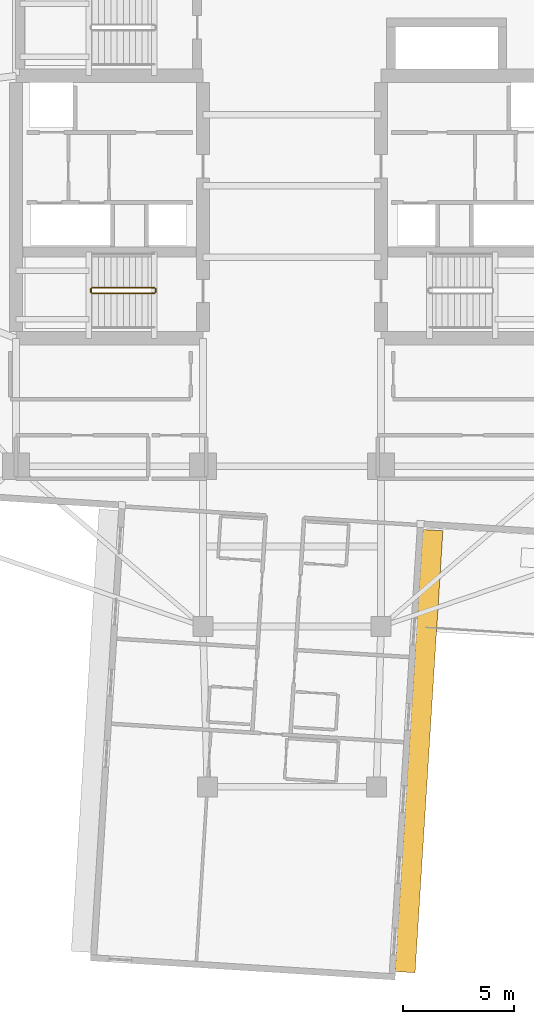
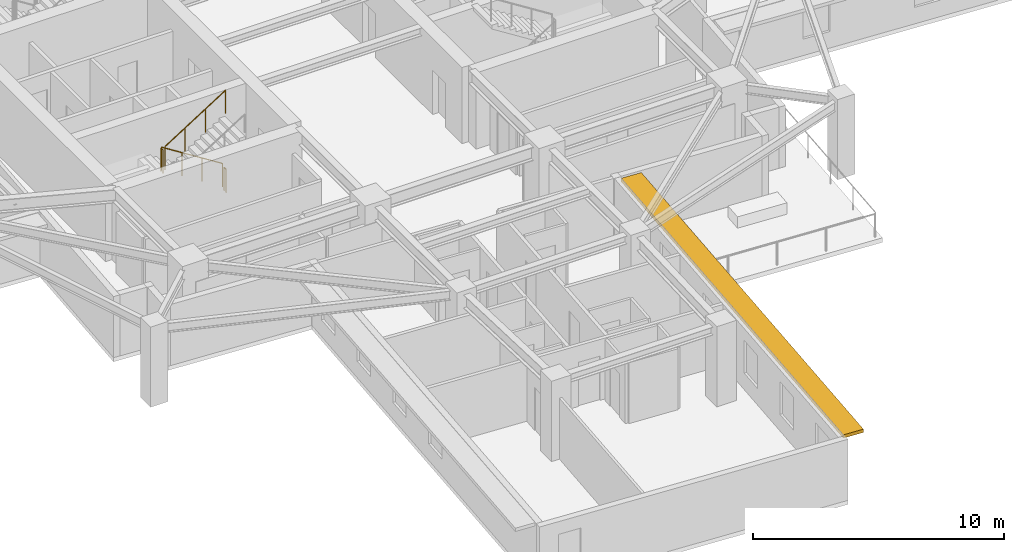
# One storey, part 11 of 14: 4 railings, 1 shading device.
"""IFC4 building model written with IfcOpenShell, lengths in metres."""

from ifc_helpers import new_model, si_unit, direction, frame, origin, origin_2d, place, context, subcontext, project, spatial, rectangle, circle, extrude, material, layer, layer_set, type_object, element, save


model = new_model("IFC4")

# Units and contexts
model_context = context("Model", 3, precision=1e-05, world=origin(), true_north=direction((0.0, 1.0)))
body_context = subcontext(model_context, "Body", "Model", "MODEL_VIEW")
ifc_project = project(units=[si_unit("LENGTHUNIT", "METRE"), si_unit("AREAUNIT", "SQUARE_METRE"), si_unit("VOLUMEUNIT", "CUBIC_METRE"), si_unit("PLANEANGLEUNIT", "RADIAN"), si_unit("MASSUNIT", "GRAM", prefix="KILO")], contexts=[model_context])

# Site, building, storey
site_placement = place(None, origin())
site = spatial("IfcSite", under=ifc_project, at=site_placement, CompositionType="ELEMENT")
building_placement = place(site_placement, origin())
building = spatial("IfcBuilding", under=site, at=building_placement, Name="Qingluan Cross Belvedere", CompositionType="ELEMENT")
storey_placement = place(building_placement, frame((0.0, 0.0, 168.300048828125)))
storey = spatial("IfcBuildingStorey", under=building, at=storey_placement, Name="L42", CompositionType="ELEMENT", Elevation=168.300048828125)

# Shading device
ifc_material_1 = material(Name="Precast concrete C45", Category="concrete")
ifc_layer = layer(ifc_material_1, 0.159912109375, Name="ConcreteSunshadeBand_900")
ifc_layer_set = layer_set([ifc_layer], Name="Precast concrete C45")
shading_device_type = type_object("IfcShadingDeviceType", Name="ConcreteSunshadeBand_900", PredefinedType="USERDEFINED", material=ifc_layer_set)
shading_device_placement = place(storey_placement, frame((5.70654296875, -25.3984375, 2.7900390625), z_axis=(0.0, 0.0, 1.0), x_axis=(0.062786203294, 0.998026999973, 0.0)))
element("IfcShadingDevice", 1, at=shading_device_placement, inside=storey, type_object=shading_device_type, Name="Concrete SUNSHADE L42-SB", ObjectType="SUNSHADE", PredefinedType="USERDEFINED", context=body_context, shape_type="SweptSolid", body=[
    extrude(rectangle(XDim=19.89990234375, YDim=0.89990234375, at=origin_2d()), origin(), (0.0, 0.0, 1.0), 0.159912109375),
])

# Railings
ifc_material_2 = material(Name="Painted steel stair well guard", Category="steel")
railing_type = type_object("IfcRailingType", Name="StairWellGuard_1150", PredefinedType="BALUSTRADE", material=ifc_material_2)
railing_1_placement = place(storey_placement, frame((-6.179931640625, -4.570068359375, 0.17724609375)))
element("IfcRailing", 2, at=railing_1_placement, inside=storey, type_object=railing_type, Name="L42 ST1 stair guard 1", PredefinedType="BALUSTRADE", context=body_context, shape_type="SweptSolid", body=[
    extrude(circle(Radius=0.02392578125, at=origin_2d()), frame((0.0, 0.0, 1.1259765625), z_axis=(-0.844908973607, 0.0, 0.534910110503), x_axis=(0.0, -1.0, 0.0)), (0.0, 0.0, 1.0), 3.31396484375),
    extrude(circle(Radius=0.02099609375, at=origin_2d()), origin(), (0.0, 0.0, 1.0), 1.101806640625),
    extrude(circle(Radius=0.02099609375, at=origin_2d()), frame((-0.933349609375, 0.0, 0.5908203125)), (0.0, 0.0, 1.0), 1.101806640625),
    extrude(circle(Radius=0.02099609375, at=origin_2d()), frame((-1.86669921875, 0.0, 1.181884765625)), (0.0, 0.0, 1.0), 1.101806640625),
    extrude(circle(Radius=0.02099609375, at=origin_2d()), frame((-2.800048828125, 0.0, 1.772705078125)), (0.0, 0.0, 1.0), 1.101806640625),
])
railing_2_placement = place(storey_placement, frame((-9.030029296875, -4.6201171875, 1.949951171875)))
element("IfcRailing", 3, at=railing_2_placement, inside=storey, type_object=railing_type, Name="L42 ST1 stair guard 2", PredefinedType="BALUSTRADE", context=body_context, shape_type="SweptSolid", body=[
    extrude(circle(Radius=0.02392578125, at=origin_2d()), frame((0.0, 0.0, 1.1259765625), z_axis=(0.0, -1.0, 0.0), x_axis=(1.0, 0.0, 0.0)), (0.0, 0.0, 1.0), 0.159912109375),
    extrude(circle(Radius=0.02099609375, at=origin_2d()), origin(), (0.0, 0.0, 1.0), 1.101806640625),
    extrude(circle(Radius=0.02099609375, at=origin_2d()), frame((0.0, -0.159912109375, 0.0)), (0.0, 0.0, 1.0), 1.101806640625),
])
railing_3_placement = place(storey_placement, frame((-8.97998046875, -4.830078125, 2.127197265625)))
element("IfcRailing", 4, at=railing_3_placement, inside=storey, type_object=railing_type, Name="L42 ST1 stair guard 3", PredefinedType="BALUSTRADE", context=body_context, shape_type="SweptSolid", body=[
    extrude(circle(Radius=0.02392578125, at=origin_2d()), frame((0.0, 0.0, 1.1259765625), z_axis=(0.844908973607, 0.0, 0.534910110503), x_axis=(0.0, 1.0, 0.0)), (0.0, 0.0, 1.0), 3.31396484375),
    extrude(circle(Radius=0.02099609375, at=origin_2d()), origin(), (0.0, 0.0, 1.0), 1.101806640625),
    extrude(circle(Radius=0.02099609375, at=origin_2d()), frame((0.933349609375, 0.0, 0.5908203125)), (0.0, 0.0, 1.0), 1.101806640625),
    extrude(circle(Radius=0.02099609375, at=origin_2d()), frame((1.86669921875, 0.0, 1.181884765625)), (0.0, 0.0, 1.0), 1.101806640625),
    extrude(circle(Radius=0.02099609375, at=origin_2d()), frame((2.800048828125, 0.0, 1.772705078125)), (0.0, 0.0, 1.0), 1.101806640625),
])
railing_4_placement = place(storey_placement, frame((-6.1298828125, -4.6201171875, 0.0)))
element("IfcRailing", 5, at=railing_4_placement, inside=storey, type_object=railing_type, Name="L42 ST1 stair guard 4", PredefinedType="BALUSTRADE", context=body_context, shape_type="SweptSolid", body=[
    extrude(circle(Radius=0.02392578125, at=origin_2d()), frame((0.0, 0.0, 1.1259765625), z_axis=(0.0, -1.0, 0.0), x_axis=(1.0, 0.0, 0.0)), (0.0, 0.0, 1.0), 0.159912109375),
    extrude(circle(Radius=0.02099609375, at=origin_2d()), origin(), (0.0, 0.0, 1.0), 1.101806640625),
    extrude(circle(Radius=0.02099609375, at=origin_2d()), frame((0.0, -0.159912109375, 0.0)), (0.0, 0.0, 1.0), 1.101806640625),
])

save(model, "model.ifc")
